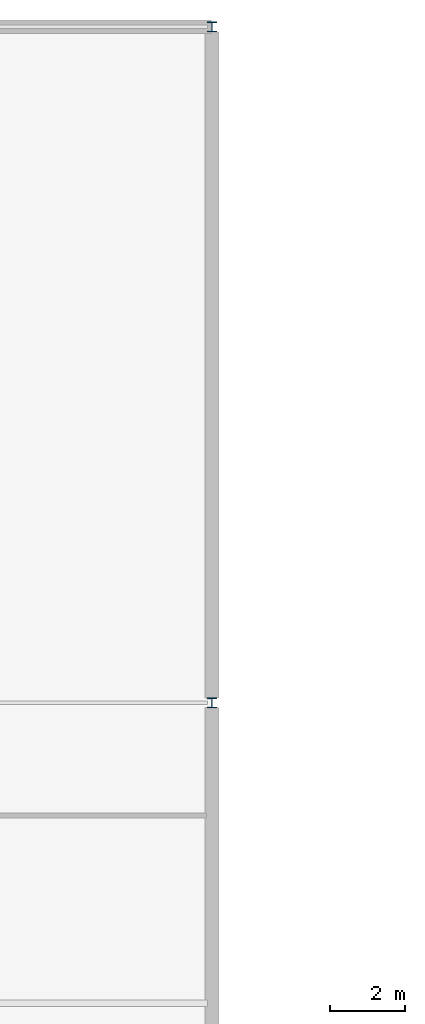
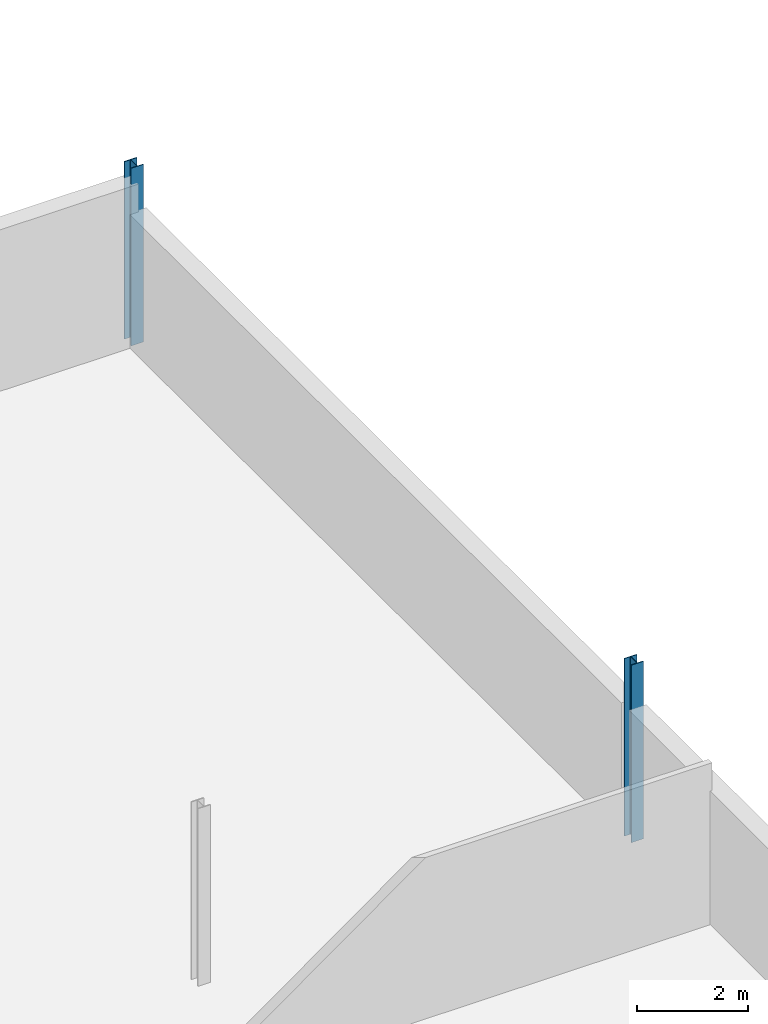
# One storey, part 5 of 30: 2 columns.
"""IFC4 building model written with IfcOpenShell, lengths in metres."""

from ifc_helpers import new_model, si_unit, direction, frame, origin, origin_2d, place, context, subcontext, project, spatial, i_section, extrude, material, material_profile, profile_set, type_object, element, save


model = new_model("IFC4")

# Units and contexts
model_context = context("Model", 3, precision=1e-05, world=origin(), true_north=direction((0.0, 1.0)))
body_context = subcontext(model_context, "Body", "Model", "MODEL_VIEW")
ifc_project = project(units=[si_unit("LENGTHUNIT", "METRE"), si_unit("AREAUNIT", "SQUARE_METRE"), si_unit("VOLUMEUNIT", "CUBIC_METRE"), si_unit("PLANEANGLEUNIT", "RADIAN"), si_unit("MASSUNIT", "GRAM", prefix="KILO")], contexts=[model_context])

# Site, building, storey
site_placement = place(None, origin())
site = spatial("IfcSite", under=ifc_project, at=site_placement, CompositionType="ELEMENT")
building_placement = place(site_placement, origin())
building = spatial("IfcBuilding", under=site, at=building_placement, Name="Kisiwana Market Hall", CompositionType="ELEMENT")
storey_placement = place(building_placement, frame((0.0, 0.0, 54.0)))
storey = spatial("IfcBuildingStorey", under=building, at=storey_placement, Name="L12", CompositionType="ELEMENT", Elevation=54.0)

# Columns
ifc_material = material(Name="Steel S355", Category="steel")
ifc_material_profile = material_profile(ifc_material, i_section(OverallWidth=0.25634765625, OverallDepth=0.26025390625, WebThickness=0.01025390625, FlangeThickness=0.017333984375, FilletRadius=0.0126953125, at=origin_2d()), Name="UC 254x254x89")
ifc_profile_set = profile_set([ifc_material_profile], Name="Steel S355")
column_type = type_object("IfcColumnType", Name="COL-STL-UC089", PredefinedType="COLUMN", material=ifc_profile_set)
for number, where, z_axis, x_axis, name in (
    (1, (36.0, 84.0, 0.0), (0.0, 0.0, 1.0), (1.0, 0.0, 0.0), "Column L/5 (L12) C-1378"),
    (2, (36.0, 102.0, 0.0), (0.0, 0.0, 1.0), (1.0, 0.0, 0.0), "Column N/5 (L12) C-1379"),
):
    element("IfcColumn", number, at=place(storey_placement, frame(where, z_axis=z_axis, x_axis=x_axis)), inside=storey, type_object=column_type, Name=name, PredefinedType="COLUMN", context=body_context, shape_type="SweptSolid", body=[
        extrude(i_section(OverallWidth=0.25634765625, OverallDepth=0.26025390625, WebThickness=0.01025390625, FlangeThickness=0.017333984375, FilletRadius=0.0126953125, at=origin_2d()), origin(), (0.0, 0.0, 1.0), 3.89990234375),
    ])

save(model, "model.ifc")
